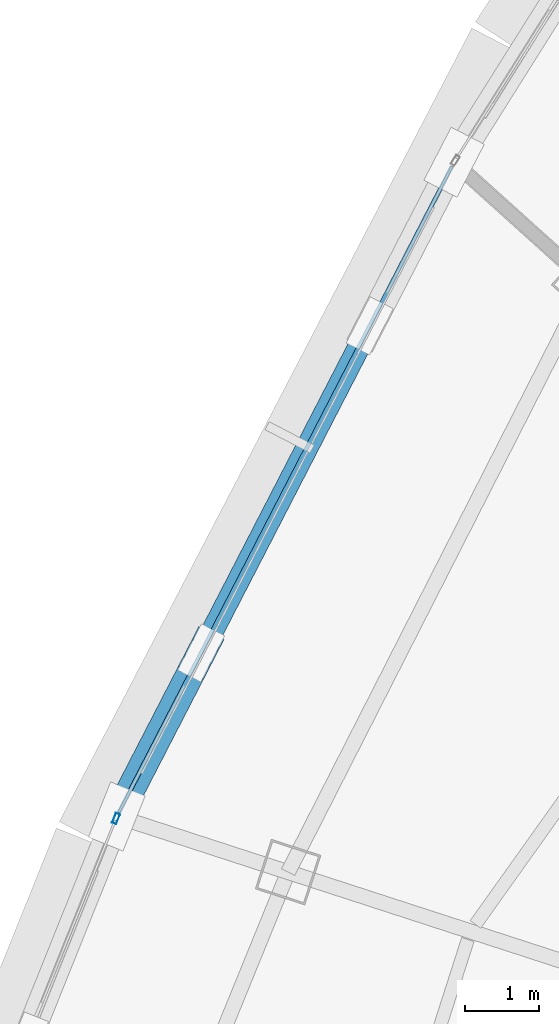
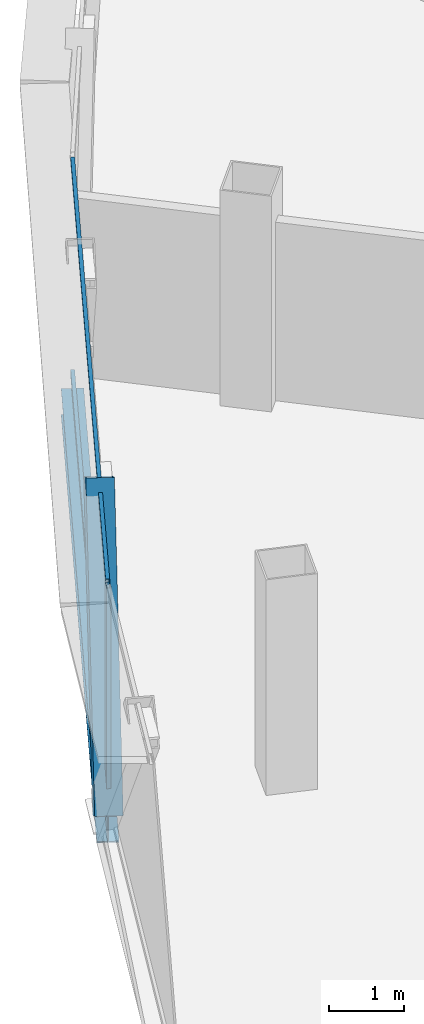
# One storey, part 7 of 30: 4 members, 1 beam, 2 elements without a shape of their own.
"""IFC4 building model written with IfcOpenShell, lengths in metres."""

from ifc_helpers import new_model, si_unit, direction, frame, origin, origin_2d, place, context, subcontext, project, spatial, hollow_rectangle, i_section, extrude, source, transform, mapped, material, layer, layer_set, material_profile, profile_set, type_object, element, aggregate, save


model = new_model("IFC4")

# Units and contexts
model_context = context("Model", 3, precision=1e-05, world=origin(), true_north=direction((0.0, 1.0)))
body_context = subcontext(model_context, "Body", "Model", "MODEL_VIEW")
ifc_project = project(units=[si_unit("LENGTHUNIT", "METRE"), si_unit("AREAUNIT", "SQUARE_METRE"), si_unit("VOLUMEUNIT", "CUBIC_METRE"), si_unit("PLANEANGLEUNIT", "RADIAN"), si_unit("MASSUNIT", "GRAM", prefix="KILO"), si_unit("THERMODYNAMICTEMPERATUREUNIT", "KELVIN"), si_unit("POWERUNIT", "WATT")], contexts=[model_context])

# Site, building, storey
site_placement = place(None, origin())
site = spatial("IfcSite", under=ifc_project, at=site_placement, CompositionType="ELEMENT")
building_placement = place(site_placement, origin())
building = spatial("IfcBuilding", under=site, at=building_placement, Name="Yunzhuo Pagoda Commons", CompositionType="ELEMENT")
storey_placement = place(building_placement, frame((0.0, 0.0, 351.760009765625)))
storey = spatial("IfcBuildingStorey", under=building, at=storey_placement, Name="L88", CompositionType="ELEMENT", Elevation=351.760009765625)

# Beam
ifc_material_1 = material(Name="Structural steel Q355B", Category="steel")
ifc_material_profile_1 = material_profile(ifc_material_1, i_section(OverallWidth=0.300048828125, OverallDepth=0.43994140625, WebThickness=0.010986328125, FlangeThickness=0.01806640625, at=origin_2d()), Name="Structural steel Q355B")
ifc_profile_set_1 = profile_set([ifc_material_profile_1], Name="Structural steel Q355B")
beam_type = type_object("IfcBeamType", Name="B-SP2 Beam HM 440x300x11x18", PredefinedType="BEAM", material=ifc_profile_set_1)
shared_shape_1 = source(origin(), body_context, "Body", "SweptSolid", [
    extrude(i_section(OverallWidth=0.300048828125, OverallDepth=0.43994140625, WebThickness=0.010986328125, FlangeThickness=0.01806640625, at=origin_2d()), origin(), (0.0, 0.0, 1.0), 9.884765625),
])
beam_placement = place(storey_placement, frame((30.175537109375, 49.749267578125, -0.47998046875), z_axis=(-0.458204989811, -0.888846548799, 0.0), x_axis=(0.888846548799, -0.458204989811, 0.0)))
element("IfcBeam", 1, at=beam_placement, inside=storey, type_object=beam_type, Name="L88 facade edge spandrel beam F3.2", PredefinedType="BEAM", context=body_context, shape_type="MappedRepresentation", body=[
    mapped(shared_shape_1, transform((0.0, 0.0, 0.0), scale=1.0)),
])

# Member
ifc_material_profile_2 = material_profile(ifc_material_1, hollow_rectangle(XDim=0.3798828125, YDim=0.719970703125, WallThickness=0.02001953125, at=origin_2d()), Name="Structural steel Q355B")
ifc_profile_set_2 = profile_set([ifc_material_profile_2], Name="Structural steel Q355B")
member_type_1 = type_object("IfcMemberType", Name="M-DL3 Brace BOX 720x380x20", PredefinedType="BRACE", material=ifc_profile_set_2)
shared_shape_2 = source(origin(), body_context, "Body", "SweptSolid", [
    extrude(hollow_rectangle(XDim=0.3798828125, YDim=0.719970703125, WallThickness=0.02001953125, at=origin_2d()), origin(), (0.0, 0.0, 1.0), 4.4912109375),
])
member_1_placement = place(storey_placement, frame((25.646240234375, 40.963134765625, -0.260009765625), z_axis=(0.252180677425, 0.489085913944, 0.83498495478), x_axis=(-0.888806311113, 0.458283036262, 0.0)))
element("IfcMember", 2, at=member_1_placement, inside=storey, type_object=member_type_1, Name="L88 facade diamond brace F3.2R", PredefinedType="BRACE", context=body_context, shape_type="MappedRepresentation", body=[
    mapped(shared_shape_2, transform((0.0, 0.0, 0.0), scale=1.0)),
])

# Curtain wall, member
ifc_material_2 = material(Name="Anodized aluminium 6063-T6", Category="aluminium")
ifc_layer = layer(ifc_material_2, 0.139892578125)
ifc_layer_set = layer_set([ifc_layer], Name="Anodized aluminium 6063-T6")
curtain_wall_type = type_object("IfcCurtainWallType", Name="CW-HI High-Zone Ribbon Curtain Wall", PredefinedType="NOTDEFINED", material=ifc_layer_set)
curtain_wall_1_placement = place(storey_placement, origin())
curtain_wall_1 = element("IfcCurtainWall", 3, at=curtain_wall_1_placement, inside=storey, type_object=curtain_wall_type, Name="L88 curtain wall CW-L88-F3B4", PredefinedType="NOTDEFINED")
ifc_material_profile_3 = material_profile(ifc_material_2, hollow_rectangle(XDim=0.06005859375, YDim=0.139892578125, WallThickness=0.00341796875, at=origin_2d()), Name="Anodized aluminium 6063-T6")
ifc_profile_set_3 = profile_set([ifc_material_profile_3], Name="Anodized aluminium 6063-T6")
member_type_2 = type_object("IfcMemberType", Name="CW-HI-M Mullion RHS 140x60x3.5", PredefinedType="MULLION", material=ifc_profile_set_3)
shared_shape_3 = source(origin(), body_context, "Body", "SweptSolid", [
    extrude(hollow_rectangle(XDim=0.06005859375, YDim=0.139892578125, WallThickness=0.00341796875, at=origin_2d()), origin(), (0.0, 0.0, 1.0), 3.489990234375),
])
member_2_placement = place(storey_placement, frame((25.635009765625, 40.935302734375, 0.0), z_axis=(0.0, 0.0, 1.0), x_axis=(0.92803921175, -0.372482511608, 0.0)))
member_2 = element("IfcMember", 4, at=member_2_placement, type_object=member_type_2, Name="CW mullion 1", PredefinedType="MULLION", context=body_context, shape_type="MappedRepresentation", body=[
    mapped(shared_shape_3, transform((0.0, 0.0, 0.0), scale=1.0)),
])
aggregate(curtain_wall_1, [member_2])

# Curtain wall, members
curtain_wall_2_placement = place(storey_placement, origin())
curtain_wall_2 = element("IfcCurtainWall", 5, at=curtain_wall_2_placement, inside=storey, type_object=curtain_wall_type, Name="L88 curtain wall CW-L88-F3B3", PredefinedType="NOTDEFINED")
ifc_material_profile_4 = material_profile(ifc_material_2, hollow_rectangle(XDim=0.054931640625, YDim=0.1201171875, WallThickness=0.00341796875, at=origin_2d()), Name="Anodized aluminium 6063-T6")
ifc_profile_set_4 = profile_set([ifc_material_profile_4], Name="Anodized aluminium 6063-T6")
member_type_3 = type_object("IfcMemberType", Name="CW-HI-T Transom RHS 120x55x3.5", PredefinedType="USERDEFINED", material=ifc_profile_set_4)
shared_shape_4 = source(origin(), body_context, "Body", "SweptSolid", [
    extrude(hollow_rectangle(XDim=0.054931640625, YDim=0.1201171875, WallThickness=0.00341796875, at=origin_2d()), origin(), (0.0, 0.0, 1.0), 9.764892578125),
])
member_3_placement = place(storey_placement, frame((30.14794921875, 49.696044921875, 0.027587890625), z_axis=(-0.458210436788, -0.888843740833, 0.0), x_axis=(0.888843740833, -0.458210436788, 0.0)))
member_3 = element("IfcMember", 6, at=member_3_placement, type_object=member_type_3, Name="CW transom 1.1", ObjectType="TRANSOM", PredefinedType="USERDEFINED", context=body_context, shape_type="MappedRepresentation", body=[
    mapped(shared_shape_4, transform((0.0, 0.0, 0.0), scale=1.0)),
])
member_4_placement = place(storey_placement, frame((30.14794921875, 49.696044921875, 3.46240234375), z_axis=(-0.458210436788, -0.888843740833, 0.0), x_axis=(0.888843740833, -0.458210436788, 0.0)))
member_4 = element("IfcMember", 7, at=member_4_placement, type_object=member_type_3, Name="CW transom 1.2", ObjectType="TRANSOM", PredefinedType="USERDEFINED", context=body_context, shape_type="MappedRepresentation", body=[
    mapped(shared_shape_4, transform((0.0, 0.0, 0.0), scale=1.0)),
])
aggregate(curtain_wall_2, [member_3, member_4])

save(model, "model.ifc")
